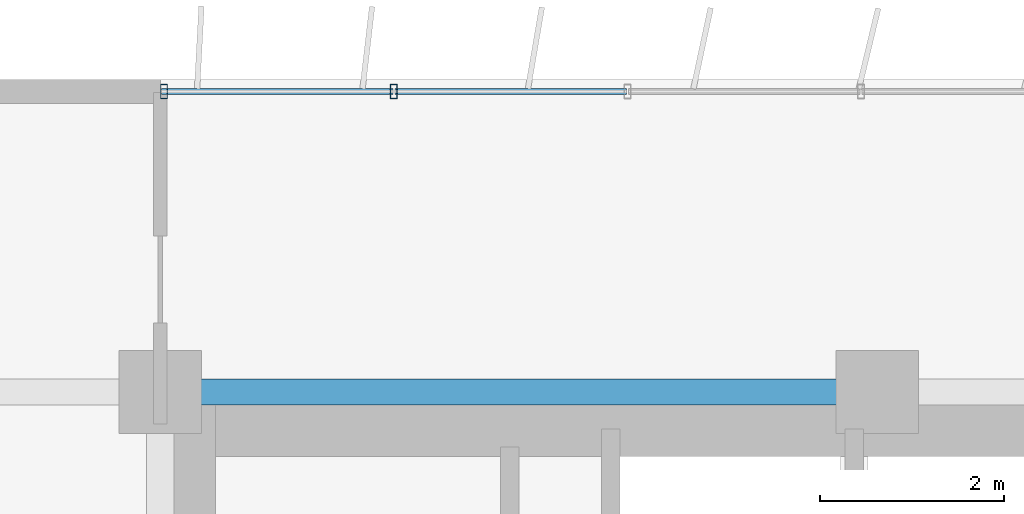
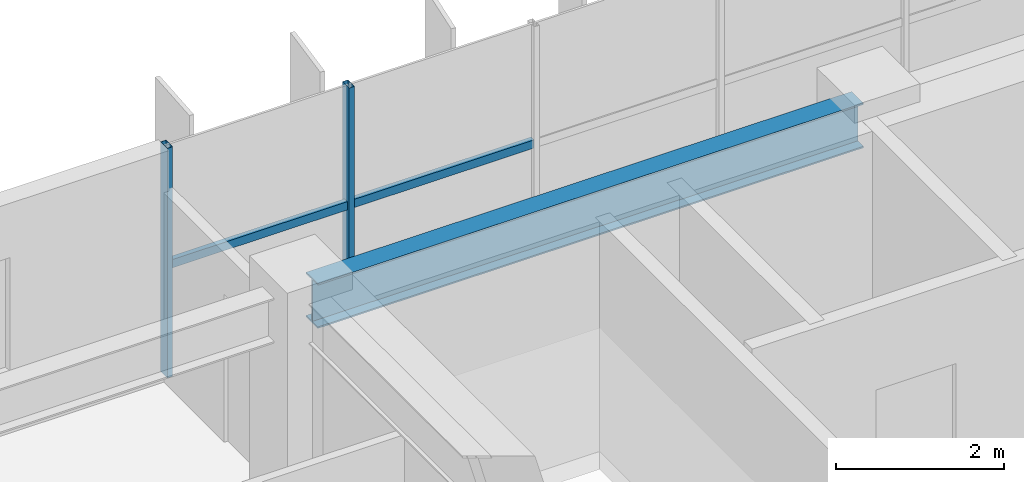
# One storey, part 5 of 24: 4 members, 1 beam, 1 element without a shape of its own.
"""IFC4 building model written with IfcOpenShell, lengths in metres."""

from ifc_helpers import new_model, si_unit, direction, frame, origin, origin_2d, place, context, subcontext, project, spatial, hollow_rectangle, i_section, extrude, source, transform, mapped, material, material_profile, profile_set, type_object, element, aggregate, save


model = new_model("IFC4")

# Units and contexts
model_context = context("Model", 3, precision=1e-05, world=origin(), true_north=direction((0.0, 1.0)))
body_context = subcontext(model_context, "Body", "Model", "MODEL_VIEW")
ifc_project = project(units=[si_unit("LENGTHUNIT", "METRE"), si_unit("AREAUNIT", "SQUARE_METRE"), si_unit("VOLUMEUNIT", "CUBIC_METRE"), si_unit("PLANEANGLEUNIT", "RADIAN"), si_unit("MASSUNIT", "GRAM", prefix="KILO")], contexts=[model_context])

# Site, building, storey
site_placement = place(None, origin())
site = spatial("IfcSite", under=ifc_project, at=site_placement, CompositionType="ELEMENT")
building_placement = place(site_placement, origin())
building = spatial("IfcBuilding", under=site, at=building_placement, Name="Trelvane Seafront Commons", CompositionType="ELEMENT")
storey_placement = place(building_placement, frame((0.0, 0.0, 27.10009765625)))
storey = spatial("IfcBuildingStorey", under=building, at=storey_placement, Name="L06", CompositionType="ELEMENT", Elevation=27.10009765625)

# Beam
ifc_material_1 = material(Name="Steel SM355 (S355)", Category="steel")
ifc_material_profile_1 = material_profile(ifc_material_1, i_section(OverallWidth=0.280029296875, OverallDepth=0.64990234375, WebThickness=0.012939453125, FlangeThickness=0.02197265625, at=origin_2d()), Name="H-650x280x13x22")
ifc_profile_set_1 = profile_set([ifc_material_profile_1], Name="Steel SM355 (S355)")
beam_type = type_object("IfcBeamType", Name="STR-BM-H650", PredefinedType="BEAM", material=ifc_profile_set_1)
shared_shape_1 = source(origin(), body_context, "Body", "SweptSolid", [
    extrude(i_section(OverallWidth=0.280029296875, OverallDepth=0.64990234375, WebThickness=0.012939453125, FlangeThickness=0.02197265625, at=origin_2d()), origin(), (0.0, 0.0, 1.0), 7.5),
])
beam_placement = place(storey_placement, frame((15.75, 45.10009765625, 3.014892578125), z_axis=(1.0, 0.0, 0.0), x_axis=(0.0, 1.0, 0.0)))
element("IfcBeam", 1, at=beam_placement, inside=storey, type_object=beam_type, Name="L06 Primary Girder G-30", PredefinedType="BEAM", context=body_context, shape_type="MappedRepresentation", body=[
    mapped(shared_shape_1, transform((0.0, 0.0, 0.0), x_axis=(1.0, 0.0, 0.0), y_axis=(0.0, 1.0, 0.0), z_axis=(0.0, 0.0, 1.0), scale=1.0)),
])

# Curtain wall, members
ifc_material_2 = material(Name="Anodised pale-silver aluminium", Category="aluminium")
curtain_wall_type = type_object("IfcCurtainWallType", Name="ARCH-CW2-LOWTOWER", PredefinedType="NOTDEFINED", material=ifc_material_2)
curtain_wall_placement = place(storey_placement, origin())
curtain_wall = element("IfcCurtainWall", 2, at=curtain_wall_placement, inside=storey, type_object=curtain_wall_type, Name="CW-L06-0030", PredefinedType="NOTDEFINED")
ifc_material_profile_2 = material_profile(ifc_material_2, hollow_rectangle(XDim=0.070068359375, YDim=0.1201171875, WallThickness=0.00390625, at=origin_2d()), Name="TRAN-70x120x4")
ifc_profile_set_2 = profile_set([ifc_material_profile_2], Name="Anodised pale-silver aluminium")
member_type_1 = type_object("IfcMemberType", Name="ARCH-CW-TRAN-120", PredefinedType="USERDEFINED", material=ifc_profile_set_2)
shared_shape_2 = source(origin(), body_context, "Body", "SweptSolid", [
    extrude(hollow_rectangle(XDim=0.070068359375, YDim=0.1201171875, WallThickness=0.00390625, at=origin_2d()), origin(), (0.0, 0.0, 1.0), 2.51708984375),
])
member_1_placement = place(storey_placement, frame((15.612060546875, 48.3701171875, 1.602783203125), z_axis=(1.0, 0.0, 0.0), x_axis=(0.0, 1.0, 0.0)))
member_1 = element("IfcMember", 3, at=member_1_placement, type_object=member_type_1, Name="CW-L06-0030-T00", ObjectType="TRANSOM", PredefinedType="USERDEFINED", context=body_context, shape_type="MappedRepresentation", body=[
    mapped(shared_shape_2, transform((0.0, 0.0, 0.0), x_axis=(1.0, 0.0, 0.0), y_axis=(0.0, 1.0, 0.0), z_axis=(0.0, 0.0, 1.0), scale=1.0)),
])
member_2_placement = place(storey_placement, frame((18.1533203125, 48.3701171875, 1.602783203125), z_axis=(1.0, 0.0, 0.0), x_axis=(0.0, 1.0, 0.0)))
member_2 = element("IfcMember", 4, at=member_2_placement, type_object=member_type_1, Name="CW-L06-0030-T01", ObjectType="TRANSOM", PredefinedType="USERDEFINED", context=body_context, shape_type="MappedRepresentation", body=[
    mapped(shared_shape_2, transform((0.0, 0.0, 0.0), x_axis=(1.0, 0.0, 0.0), y_axis=(0.0, 1.0, 0.0), z_axis=(0.0, 0.0, 1.0), scale=1.0)),
])
ifc_material_profile_3 = material_profile(ifc_material_2, hollow_rectangle(XDim=0.074951171875, YDim=0.159912109375, WallThickness=0.00390625, at=origin_2d()), Name="MULL-75x160x4")
ifc_profile_set_3 = profile_set([ifc_material_profile_3], Name="Anodised pale-silver aluminium")
member_type_2 = type_object("IfcMemberType", Name="ARCH-CW-MULL-160", PredefinedType="MULLION", material=ifc_profile_set_3)
shared_shape_3 = source(origin(), body_context, "Body", "SweptSolid", [
    extrude(hollow_rectangle(XDim=0.074951171875, YDim=0.159912109375, WallThickness=0.00390625, at=origin_2d()), origin(), (0.0, 0.0, 1.0), 3.33984375),
])
member_3_placement = place(storey_placement, frame((15.639892578125, 48.3701171875, 0.0), z_axis=(0.0, 0.0, 1.0), x_axis=(1.0, 0.0, 0.0)))
member_3 = element("IfcMember", 5, at=member_3_placement, type_object=member_type_2, Name="CW-L06-0030-M00", PredefinedType="MULLION", context=body_context, shape_type="MappedRepresentation", body=[
    mapped(shared_shape_3, transform((0.0, 0.0, 0.0), x_axis=(1.0, 0.0, 0.0), y_axis=(0.0, 1.0, 0.0), z_axis=(0.0, 0.0, 1.0), scale=1.0)),
])
member_4_placement = place(storey_placement, frame((18.14111328125, 48.3701171875, 0.0), z_axis=(0.0, 0.0, 1.0), x_axis=(1.0, 0.0, 0.0)))
member_4 = element("IfcMember", 6, at=member_4_placement, type_object=member_type_2, Name="CW-L06-0030-M01", PredefinedType="MULLION", context=body_context, shape_type="MappedRepresentation", body=[
    mapped(shared_shape_3, transform((0.0, 0.0, 0.0), x_axis=(1.0, 0.0, 0.0), y_axis=(0.0, 1.0, 0.0), z_axis=(0.0, 0.0, 1.0), scale=1.0)),
])
aggregate(curtain_wall, [member_3, member_4, member_1, member_2])

save(model, "model.ifc")
